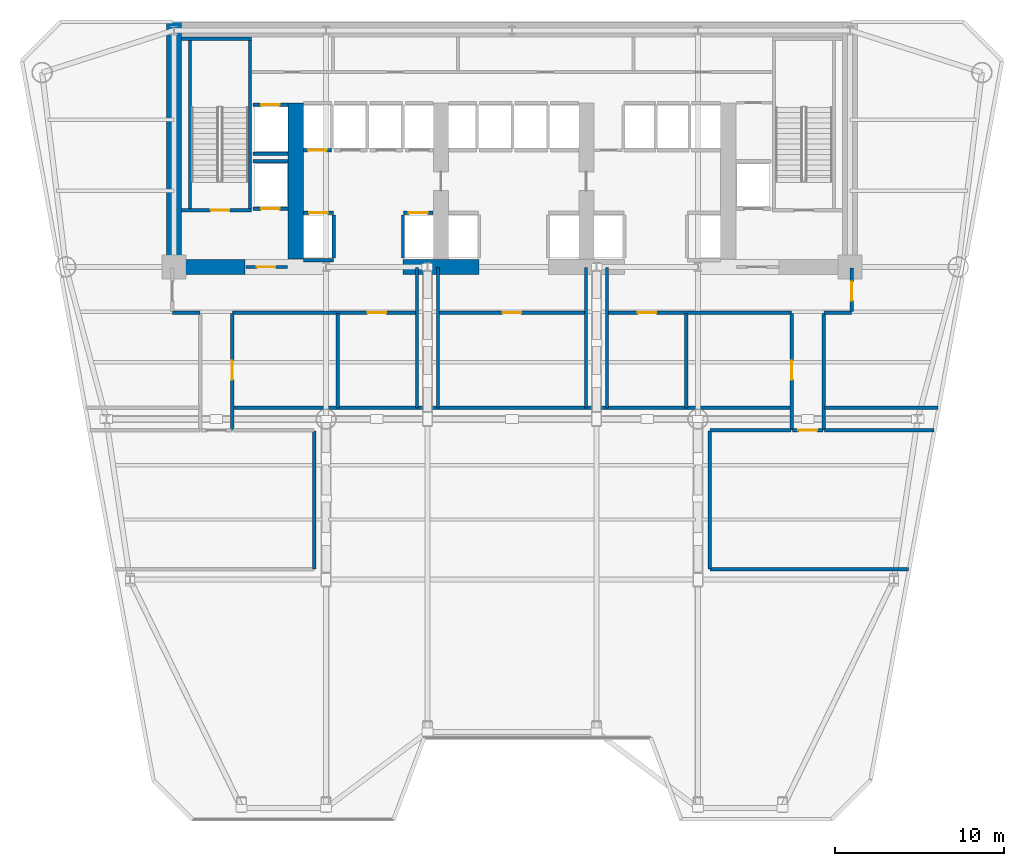
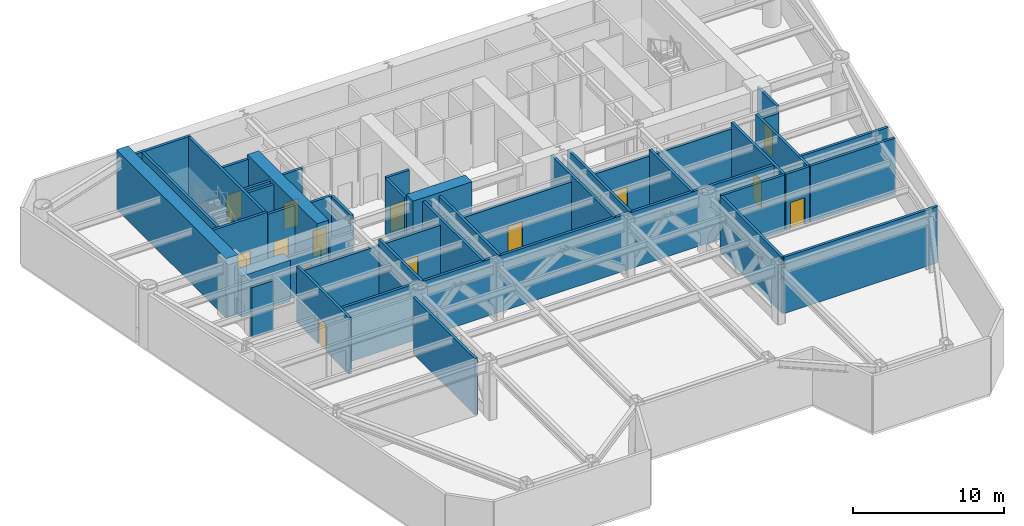
# One storey, part 4 of 10: 42 walls, 14 doors, 14 openings.
"""IFC4 building model written with IfcOpenShell, lengths in metres."""

import ifcopenshell
import ifcopenshell.guid

model = None  # the IFC model being written
_history = None  # IfcOwnerHistory: only IFC2X3 demands one
_inside = {}  # id of a spatial element -> (the spatial element, [elements in it])
_under = {}  # id of a project, library or spatial element -> (it, [spatial elements below it])
_declared = {}  # id of a project -> (the project, [libraries it declares])
_typed = {}  # id of a type object -> (the type object, [elements of that type])
_made_of = {}  # id of a material, layer set ... -> (it, [elements and type objects made of it])


def new_model(schema):
    """Start an empty IFC model of exactly this schema.

    Asked for "IFC4X3", IfcOpenShell would pick the latest addendum, in which some entities
    have other attributes; the version numbers below select the first issue.
    IFC2X3 requires an IfcOwnerHistory on every rooted entity: one is made here for all.
    """
    global model, _history
    if schema == "IFC4X3":
        model = ifcopenshell.file(schema_version=(4, 3, 0, 0))
    else:
        model = ifcopenshell.file(schema=schema)
    _inside.clear()
    _under.clear()
    _declared.clear()
    _typed.clear()
    _made_of.clear()
    _history = None
    if model.schema == "IFC2X3":
        org = make("IfcOrganization", Name="unknown")
        user = make(
            "IfcPersonAndOrganization",
            ThePerson=make("IfcPerson", FamilyName="unknown"),
            TheOrganization=org,
        )
        app = make(
            "IfcApplication",
            ApplicationDeveloper=org,
            Version="unknown",
            ApplicationFullName="unknown",
            ApplicationIdentifier="unknown",
        )
        _history = make(
            "IfcOwnerHistory",
            OwningUser=user,
            OwningApplication=app,
            ChangeAction="ADDED",
            CreationDate=0,
        )
    return model


def make(cls, **values):
    """One entity of the class cls with the attributes given. An attribute that is None is left unset."""
    return model.create_entity(
        cls, **{name: value for name, value in values.items() if value is not None}
    )


def rooted(cls, **values):
    """An entity with a GlobalId (a new one), such as an element, a storey or a relation."""
    return make(cls, GlobalId=ifcopenshell.guid.new(), OwnerHistory=_history, **values)


def si_unit(unit_type, name, prefix=None):
    """IfcSIUnit, for example si_unit("LENGTHUNIT", "METRE", prefix="MILLI")."""
    return make("IfcSIUnit", UnitType=unit_type, Prefix=prefix, Name=name)


def assignment(units):
    """IfcUnitAssignment: the units of a project."""
    return None if units is None else make("IfcUnitAssignment", Units=units)


def point(xyz):
    """IfcCartesianPoint."""
    return None if xyz is None else make("IfcCartesianPoint", Coordinates=xyz)


def direction(xyz):
    """IfcDirection."""
    return None if xyz is None else make("IfcDirection", DirectionRatios=xyz)


def frame(location, z_axis=None, x_axis=None):
    """IfcAxis2Placement3D, a coordinate frame: its origin and axes. An axis left out is left unset."""
    return make(
        "IfcAxis2Placement3D",
        Location=point(location),
        Axis=direction(z_axis),
        RefDirection=direction(x_axis),
    )


def frame_2d(location, x_axis=None):
    """IfcAxis2Placement2D, a coordinate frame in the plane: its origin and x axis."""
    return make(
        "IfcAxis2Placement2D", Location=point(location), RefDirection=direction(x_axis)
    )


def origin():
    """The frame at (0, 0, 0) with its axes left unset."""
    return frame((0.0, 0.0, 0.0))


def place(relative_to, where):
    """IfcLocalPlacement: puts the frame where relative to a parent placement (None: the world)."""
    return make(
        "IfcLocalPlacement", PlacementRelTo=relative_to, RelativePlacement=where
    )


def context(
    kind, dimensions, precision=None, world=None, true_north=None, identifier=None
):
    """IfcGeometricRepresentationContext, for example the 3D "Model" context."""
    return make(
        "IfcGeometricRepresentationContext",
        ContextIdentifier=identifier,
        ContextType=kind,
        CoordinateSpaceDimension=dimensions,
        Precision=precision,
        WorldCoordinateSystem=world,
        TrueNorth=true_north,
    )


def subcontext(parent, identifier, kind, view, scale=None):
    """IfcGeometricRepresentationSubContext, for example "Body" below "Model"."""
    return make(
        "IfcGeometricRepresentationSubContext",
        ContextIdentifier=identifier,
        ContextType=kind,
        ParentContext=parent,
        TargetScale=scale,
        TargetView=view,
    )


def project(units=None, contexts=None):
    """IfcProject with its units and contexts."""
    return rooted(
        "IfcProject",
        Name="project",
        RepresentationContexts=contexts,
        UnitsInContext=assignment(units),
    )


def spatial(cls, under=None, at=None, **own):
    """A site, building, storey or space (cls), placed at a placement, below another one or the project."""
    s = rooted(cls, ObjectPlacement=at, **own)
    if under is not None:
        _under.setdefault(under.id(), (under, []))[1].append(s)
    return s


def profile(cls, at=None, kind="AREA", **sizes):
    """A parametric profile (cls). Its sizes go by their IFC names, for example OverallWidth=200.0."""
    return make(cls, ProfileType=kind, Position=at, **sizes)


def rectangle(**sizes):
    """IfcRectangleProfileDef."""
    return profile("IfcRectangleProfileDef", **sizes)


def extrude(swept, where, along, depth):
    """IfcExtrudedAreaSolid: the profile swept, set in the frame where, extruded along a direction by depth."""
    return make(
        "IfcExtrudedAreaSolid",
        SweptArea=swept,
        Position=where,
        ExtrudedDirection=direction(along),
        Depth=depth,
    )


def shape(context_of_items, identifier, shape_type, items):
    """IfcShapeRepresentation: the items that make up one representation, for example the "Body"."""
    return make(
        "IfcShapeRepresentation",
        ContextOfItems=context_of_items,
        RepresentationIdentifier=identifier,
        RepresentationType=shape_type,
        Items=items,
    )


def source(mapping_origin, context_of_items, identifier, shape_type, items):
    """IfcRepresentationMap: a shape defined once, which mapped items show again and again."""
    return make(
        "IfcRepresentationMap",
        MappingOrigin=mapping_origin,
        MappedRepresentation=shape(context_of_items, identifier, shape_type, items),
    )


def transform(
    local_origin,
    x_axis=None,
    y_axis=None,
    z_axis=None,
    scale=None,
    scale2=None,
    scale3=None,
    uniform=True,
):
    """IfcCartesianTransformationOperator3D, or its non-uniform kind. x_axis, y_axis, z_axis: its Axis1, 2, 3."""
    if uniform:
        return make(
            "IfcCartesianTransformationOperator3D",
            Axis1=direction(x_axis),
            Axis2=direction(y_axis),
            LocalOrigin=point(local_origin),
            Scale=scale,
            Axis3=direction(z_axis),
        )
    return make(
        "IfcCartesianTransformationOperator3DnonUniform",
        Axis1=direction(x_axis),
        Axis2=direction(y_axis),
        LocalOrigin=point(local_origin),
        Scale=scale,
        Axis3=direction(z_axis),
        Scale2=scale2,
        Scale3=scale3,
    )


def mapped(mapping_source, mapping_target):
    """IfcMappedItem: shows the shape of a source again, moved by a transform."""
    return make(
        "IfcMappedItem", MappingSource=mapping_source, MappingTarget=mapping_target
    )


def material(Name=None, Category=None):
    """IfcMaterial."""
    return make("IfcMaterial", Name=Name, Category=Category)


def layer(
    of_material, thickness, ventilated=None, Name=None, Category=None, Priority=None
):
    """IfcMaterialLayer: one layer of a wall or slab, of a material (None: an air gap)."""
    return make(
        "IfcMaterialLayer",
        Material=of_material,
        LayerThickness=thickness,
        IsVentilated=ventilated,
        Name=Name,
        Category=Category,
        Priority=Priority,
    )


def layer_set(layers, Name=None):
    """IfcMaterialLayerSet."""
    return make("IfcMaterialLayerSet", MaterialLayers=layers, LayerSetName=Name)


def made_of(thing, what):
    """Note that an element or type object is made of a material, layer set ...; save() writes the relation."""
    if what is not None:
        _made_of.setdefault(what.id(), (what, []))[1].append(thing)
    return thing


def type_object(cls, material=None, **own):
    """A type object (cls), such as IfcWallType, which elements share."""
    return made_of(rooted(cls, **own), material)


def element(
    cls,
    number,
    at=None,
    inside=None,
    cuts=None,
    type_object=None,
    material=None,
    context=None,
    identifier="Body",
    shape_type=None,
    held_by="IfcProductDefinitionShape",
    body=None,
    shapes=None,
    **own,
):
    """One element of the class cls, such as IfcWall. Its Tag is "e" and its number.

    at: its placement. inside: the storey or other place that contains it. cuts: it is an
    opening in that element (IfcRelVoidsElement). A single representation is given by context,
    identifier, shape_type and body (its items); several are given by shapes. held_by: the class
    of the entity that holds the representations. save() writes the other relations.
    """
    e = rooted(cls, Tag="e%d" % number, ObjectPlacement=at, **own)
    if body is not None:
        shapes = [shape(context, identifier, shape_type, body)]
    if shapes is not None:
        e.Representation = make(held_by, Representations=shapes)
    if inside is not None:
        _inside.setdefault(inside.id(), (inside, []))[1].append(e)
    if cuts is not None:
        rooted(
            "IfcRelVoidsElement", RelatingBuildingElement=cuts, RelatedOpeningElement=e
        )
    if type_object is not None:
        _typed.setdefault(type_object.id(), (type_object, []))[1].append(e)
    return made_of(e, material)


def fill(opening, filler):
    """IfcRelFillsElement: the door or window that sits in an opening."""
    return rooted(
        "IfcRelFillsElement",
        RelatingOpeningElement=opening,
        RelatedBuildingElement=filler,
    )


def aggregate(whole, parts):
    """IfcRelAggregates: a whole, such as a stair, and the parts it consists of."""
    return rooted("IfcRelAggregates", RelatingObject=whole, RelatedObjects=parts)


def save(model, path):
    """Write the relations noted so far, then the file.

    IfcRelAggregates (storeys below a building ...), IfcRelContainedInSpatialStructure (elements
    in a storey), IfcRelDefinesByType, IfcRelAssociatesMaterial and IfcRelDeclares: one each for
    every whole, place, type object, material and project.
    """
    for whole, parts in _under.values():
        aggregate(whole, parts)
    for where, things in _inside.values():
        rooted(
            "IfcRelContainedInSpatialStructure",
            RelatedElements=things,
            RelatingStructure=where,
        )
    for kind, things in _typed.values():
        rooted("IfcRelDefinesByType", RelatedObjects=things, RelatingType=kind)
    for what, things in _made_of.values():
        rooted("IfcRelAssociatesMaterial", RelatedObjects=things, RelatingMaterial=what)
    for by, libraries in _declared.values():
        rooted("IfcRelDeclares", RelatingContext=by, RelatedDefinitions=libraries)
    model.write(path)


model = new_model("IFC4")

# Units and contexts
model_context = context("Model", 3, precision=1e-05, world=origin(), true_north=direction((0.0, 1.0)))
body_context = subcontext(model_context, "Body", "Model", "MODEL_VIEW")
ifc_project = project(units=[si_unit("LENGTHUNIT", "METRE"), si_unit("AREAUNIT", "SQUARE_METRE"), si_unit("VOLUMEUNIT", "CUBIC_METRE"), si_unit("PLANEANGLEUNIT", "RADIAN"), si_unit("MASSUNIT", "GRAM", prefix="KILO")], contexts=[model_context])

# Site, building, storey
site_placement = place(None, origin())
site = spatial("IfcSite", under=ifc_project, at=site_placement, CompositionType="ELEMENT")
building_placement = place(site_placement, origin())
building = spatial("IfcBuilding", under=site, at=building_placement, Name="Vaeldorn Concourse Tower", CompositionType="ELEMENT")
storey_placement = place(building_placement, frame((0.0, 0.0, 83.39990234375)))
storey = spatial("IfcBuildingStorey", under=building, at=storey_placement, Name="L21", CompositionType="ELEMENT", Elevation=83.39990234375)

# Walls
ifc_material_1 = material(Name="Concrete C60/75", Category="concrete")
ifc_layer_1 = layer(ifc_material_1, 0.89990234375)
ifc_layer_set_1 = layer_set([ifc_layer_1], Name="Concrete C60/75")
wall_type_1 = type_object("IfcWallType", Name="WL-CORE-900", PredefinedType="SHEAR", material=ifc_layer_set_1)
wall_1_placement = place(storey_placement, frame((14.0, 36.5, 0.0), z_axis=(0.0, 0.0, 1.0), x_axis=(0.0, 1.0, 0.0)))
element("IfcWall", 1, at=wall_1_placement, inside=storey, type_object=wall_type_1, Name="Rear Core Shear Wall L21 W1", PredefinedType="SHEAR", context=body_context, shape_type="SweptSolid", body=[
    extrude(rectangle(XDim=14.5, YDim=0.89990234375, at=frame_2d((7.25, 0.0))), origin(), (0.0, 0.0, 1.0), 4.800048828125),
])
wall_2_placement = place(storey_placement, frame((14.469970703125, 36.5, 0.0), z_axis=(0.0, 0.0, 1.0), x_axis=(1.0, 0.0, 0.0)))
element("IfcWall", 2, at=wall_2_placement, inside=storey, type_object=wall_type_1, Name="Rear Core Shear Wall L21 S1", PredefinedType="SHEAR", context=body_context, shape_type="SweptSolid", body=[
    extrude(rectangle(XDim=3.72998046875, YDim=0.89990234375, at=frame_2d((1.864990234375, 0.0))), origin(), (0.0, 0.0, 1.0), 3.340087890625),
])
wall_3_placement = place(storey_placement, frame((27.550048828125, 36.5, 0.0), z_axis=(0.0, 0.0, 1.0), x_axis=(1.0, 0.0, 0.0)))
element("IfcWall", 3, at=wall_3_placement, inside=storey, type_object=wall_type_1, Name="Rear Core Shear Wall L21 S2", PredefinedType="SHEAR", context=body_context, shape_type="SweptSolid", body=[
    extrude(rectangle(XDim=4.5, YDim=0.89990234375, at=frame_2d((2.25, 0.0))), origin(), (0.0, 0.0, 1.0), 4.800048828125),
])
wall_4_placement = place(storey_placement, frame((21.199951171875, 36.969970703125, 0.0), z_axis=(0.0, 0.0, 1.0), x_axis=(0.0, 1.0, 0.0)))
element("IfcWall", 4, at=wall_4_placement, inside=storey, type_object=wall_type_1, Name="Rear Core Shear Wall L21 M1", PredefinedType="SHEAR", context=body_context, shape_type="SweptSolid", body=[
    extrude(rectangle(XDim=9.22998046875, YDim=0.89990234375, at=frame_2d((4.614990234375, 0.0))), origin(), (0.0, 0.0, 1.0), 4.800048828125),
])

# Wall, opening, door
ifc_material_2 = material(Name="Concrete C50/60", Category="concrete")
ifc_layer_2 = layer(ifc_material_2, 0.199951171875)
ifc_layer_set_2 = layer_set([ifc_layer_2], Name="Concrete C50/60")
wall_type_2 = type_object("IfcWallType", Name="WL-SHAFT-200", PredefinedType="SOLIDWALL", material=ifc_layer_set_2)
wall_5_placement = place(storey_placement, frame((14.449951171875, 39.85009765625, 0.0), z_axis=(0.0, 0.0, 1.0), x_axis=(1.0, 0.0, 0.0)))
wall_5 = element("IfcWall", 5, at=wall_5_placement, inside=storey, type_object=wall_type_2, Name="Stair Shaft Wall CW-L21-ST-1-S", PredefinedType="SOLIDWALL", context=body_context, shape_type="SweptSolid", body=[
    extrude(rectangle(XDim=4.150146484375, YDim=0.199951171875, at=frame_2d((2.0751953125, 0.0))), origin(), (0.0, 0.0, 1.0), 4.800048828125),
])
opening_1_placement = place(wall_5_placement, frame((1.72509765625, 0.0, 0.0)))
opening_1 = element("IfcOpeningElement", 6, at=opening_1_placement, cuts=wall_5, Name="Opening D-01", PredefinedType="OPENING", context=body_context, shape_type="SweptSolid", body=[
    extrude(rectangle(XDim=1.10009765625, YDim=2.14990234375, at=frame_2d((0.550048828125, 1.074951171875))), frame((0.0, 0.10986328125, 0.0), z_axis=(0.0, -1.0, 0.0), x_axis=(1.0, 0.0, 0.0)), (0.0, 0.0, 1.0), 0.219970703125),
])
ifc_material_3 = material(Name="Fire-Rated Timber and Steel Leaf", Category="steel")
door_type_1 = type_object("IfcDoorType", Name="DR-FD60-1100", OperationType="NOTDEFINED", PredefinedType="DOOR", material=ifc_material_3)
shared_shape = source(origin(), body_context, "Body", "SweptSolid", [
    extrude(rectangle(XDim=1.10009765625, YDim=2.14990234375, at=frame_2d((0.550048828125, 1.074951171875))), frame((0.0, 0.02490234375, 0.0), z_axis=(0.0, -1.0, 0.0), x_axis=(1.0, 0.0, 0.0)), (0.0, 0.0, 1.0), 0.050048828125),
])
door_1_placement = place(opening_1_placement, origin())
door_1 = element("IfcDoor", 7, at=door_1_placement, inside=storey, type_object=door_type_1, Name="Interior Door DR-L21-ST-1", OperationType="SINGLE_SWING_LEFT", OverallHeight=2.14990234375, OverallWidth=1.10009765625, PredefinedType="DOOR", context=body_context, shape_type="MappedRepresentation", body=[
    mapped(shared_shape, transform((0.0, 0.0, 0.0), scale=1.0)),
])
fill(opening_1, door_1)

# Walls
wall_6_placement = place(storey_placement, frame((14.449951171875, 50.0, 0.0), z_axis=(0.0, 0.0, 1.0), x_axis=(1.0, 0.0, 0.0)))
element("IfcWall", 8, at=wall_6_placement, inside=storey, type_object=wall_type_2, Name="Stair Shaft Wall CW-L21-ST-1-N", PredefinedType="SOLIDWALL", context=body_context, shape_type="SweptSolid", body=[
    extrude(rectangle(XDim=4.150146484375, YDim=0.199951171875, at=frame_2d((2.0751953125, 0.0))), origin(), (0.0, 0.0, 1.0), 4.800048828125),
])
for number, where, z_axis, x_axis, name in (
    (9, (14.949951171875, 39.9599609375, 0.0), (0.0, 0.0, 1.0), (0.0, 1.0, 0.0), "Stair Shaft Wall CW-L21-ST-1-W"),
    (10, (18.5, 39.9599609375, 0.0), (0.0, 0.0, 1.0), (0.0, 1.0, 0.0), "Stair Shaft Wall CW-L21-ST-1-E"),
):
    element("IfcWall", number, at=place(storey_placement, frame(where, z_axis=z_axis, x_axis=x_axis)), inside=storey, type_object=wall_type_2, Name=name, PredefinedType="SOLIDWALL", context=body_context, shape_type="SweptSolid", body=[
        extrude(rectangle(XDim=9.929931640625, YDim=0.199951171875, at=frame_2d((4.96484375, 0.0))), origin(), (0.0, 0.0, 1.0), 4.800048828125),
    ])

# Wall, opening, door
wall_7_placement = place(storey_placement, frame((18.25, 36.5, 0.0), z_axis=(0.0, 0.0, 1.0), x_axis=(1.0, 0.0, 0.0)))
wall_7 = element("IfcWall", 11, at=wall_7_placement, inside=storey, type_object=wall_type_2, Name="Interior Wall CW-L21-FF1S", PredefinedType="SOLIDWALL", context=body_context, shape_type="SweptSolid", body=[
    extrude(rectangle(XDim=2.469970703125, YDim=0.199951171875, at=frame_2d((1.23486328125, 0.0))), origin(), (0.0, 0.0, 1.0), 3.330078125),
])
opening_2_placement = place(wall_7_placement, frame((0.64990234375, 0.0, 0.0)))
opening_2 = element("IfcOpeningElement", 12, at=opening_2_placement, cuts=wall_7, Name="Opening D-01", PredefinedType="OPENING", context=body_context, shape_type="SweptSolid", body=[
    extrude(rectangle(XDim=1.10009765625, YDim=2.14990234375, at=frame_2d((0.550048828125, 1.074951171875))), frame((0.0, 0.10986328125, 0.0), z_axis=(0.0, -1.0, 0.0), x_axis=(1.0, 0.0, 0.0)), (0.0, 0.0, 1.0), 0.219970703125),
])
door_2_placement = place(opening_2_placement, origin())
door_2 = element("IfcDoor", 13, at=door_2_placement, inside=storey, type_object=door_type_1, Name="Interior Door DR-L21-FF1E", OperationType="SINGLE_SWING_RIGHT", OverallHeight=2.14990234375, OverallWidth=1.10009765625, PredefinedType="DOOR", context=body_context, shape_type="MappedRepresentation", body=[
    mapped(shared_shape, transform((0.0, 0.0, 0.0), scale=1.0)),
])
fill(opening_2, door_2)

wall_8_placement = place(storey_placement, frame((21.659912109375, 39.699951171875, 0.0), z_axis=(0.0, 0.0, 1.0), x_axis=(1.0, 0.0, 0.0)))
wall_8 = element("IfcWall", 14, at=wall_8_placement, inside=storey, type_object=wall_type_2, Name="Interior Wall CW-L21-LF-LF-01", PredefinedType="SOLIDWALL", context=body_context, shape_type="SweptSolid", body=[
    extrude(rectangle(XDim=1.77001953125, YDim=0.199951171875, at=frame_2d((0.885009765625, 0.0))), origin(), (0.0, 0.0, 1.0), 4.5400390625),
])
opening_3_placement = place(wall_8_placement, frame((0.3349609375, 0.0, 0.0)))
opening_3 = element("IfcOpeningElement", 15, at=opening_3_placement, cuts=wall_8, Name="Opening LD-1", PredefinedType="OPENING", context=body_context, shape_type="SweptSolid", body=[
    extrude(rectangle(XDim=1.10009765625, YDim=2.14990234375, at=frame_2d((0.550048828125, 1.074951171875))), frame((0.0, 0.10986328125, 0.0), z_axis=(0.0, -1.0, 0.0), x_axis=(1.0, 0.0, 0.0)), (0.0, 0.0, 1.0), 0.219970703125),
])
ifc_material_4 = material(Name="Anodised Bronze Aluminium", Category="aluminium")
door_type_2 = type_object("IfcDoorType", Name="DR-LIFT-SLIDE-1100", OperationType="DOUBLE_DOOR_SLIDING", PredefinedType="DOOR", material=ifc_material_4)
door_3_placement = place(opening_3_placement, origin())
door_3 = element("IfcDoor", 16, at=door_3_placement, inside=storey, type_object=door_type_2, Name="Lift Landing Door LD-L21-LF-01", OperationType="DOUBLE_DOOR_SLIDING", OverallHeight=2.14990234375, OverallWidth=1.10009765625, PredefinedType="DOOR", context=body_context, shape_type="MappedRepresentation", body=[
    mapped(shared_shape, transform((0.0, 0.0, 0.0), scale=1.0)),
])
fill(opening_3, door_3)

# Walls
wall_9_placement = place(storey_placement, frame((21.659912109375, 36.89990234375, 0.0), z_axis=(0.0, 0.0, 1.0), x_axis=(1.0, 0.0, 0.0)))
element("IfcWall", 17, at=wall_9_placement, inside=storey, type_object=wall_type_2, Name="Interior Wall CW-L21-LFB-LF-01", PredefinedType="SOLIDWALL", context=body_context, shape_type="SweptSolid", body=[
    extrude(rectangle(XDim=1.77001953125, YDim=0.199951171875, at=frame_2d((0.885009765625, 0.0))), origin(), (0.0, 0.0, 1.0), 3.330078125),
])
wall_10_placement = place(storey_placement, frame((23.449951171875, 37.02001953125, 0.0), z_axis=(0.0, 0.0, 1.0), x_axis=(0.0, 1.0, 0.0)))
element("IfcWall", 18, at=wall_10_placement, inside=storey, type_object=wall_type_2, Name="Interior Wall CW-L21-LFE-LF-01", PredefinedType="SOLIDWALL", context=body_context, shape_type="SweptSolid", body=[
    extrude(rectangle(XDim=2.56005859375, YDim=0.199951171875, at=frame_2d((1.280029296875, 0.0))), origin(), (0.0, 0.0, 1.0), 4.5400390625),
])

# Wall, opening, door
wall_11_placement = place(storey_placement, frame((27.570068359375, 39.699951171875, 0.0), z_axis=(0.0, 0.0, 1.0), x_axis=(1.0, 0.0, 0.0)))
wall_11 = element("IfcWall", 19, at=wall_11_placement, inside=storey, type_object=wall_type_2, Name="Interior Wall CW-L21-LF-LF-02", PredefinedType="SOLIDWALL", context=body_context, shape_type="SweptSolid", body=[
    extrude(rectangle(XDim=1.77001953125, YDim=0.199951171875, at=frame_2d((0.885009765625, 0.0))), origin(), (0.0, 0.0, 1.0), 4.5400390625),
])
opening_4_placement = place(wall_11_placement, frame((0.3349609375, 0.0, 0.0)))
opening_4 = element("IfcOpeningElement", 20, at=opening_4_placement, cuts=wall_11, Name="Opening LD-1", PredefinedType="OPENING", context=body_context, shape_type="SweptSolid", body=[
    extrude(rectangle(XDim=1.10009765625, YDim=2.14990234375, at=frame_2d((0.550048828125, 1.074951171875))), frame((0.0, 0.10986328125, 0.0), z_axis=(0.0, -1.0, 0.0), x_axis=(1.0, 0.0, 0.0)), (0.0, 0.0, 1.0), 0.219970703125),
])
door_4_placement = place(opening_4_placement, origin())
door_4 = element("IfcDoor", 21, at=door_4_placement, inside=storey, type_object=door_type_2, Name="Lift Landing Door LD-L21-LF-02", OperationType="DOUBLE_DOOR_SLIDING", OverallHeight=2.14990234375, OverallWidth=1.10009765625, PredefinedType="DOOR", context=body_context, shape_type="MappedRepresentation", body=[
    mapped(shared_shape, transform((0.0, 0.0, 0.0), scale=1.0)),
])
fill(opening_4, door_4)

# Wall
wall_12_placement = place(storey_placement, frame((27.550048828125, 37.02001953125, 0.0), z_axis=(0.0, 0.0, 1.0), x_axis=(0.0, 1.0, 0.0)))
element("IfcWall", 22, at=wall_12_placement, inside=storey, type_object=wall_type_2, Name="Interior Wall CW-L21-LFW-LF-02", PredefinedType="SOLIDWALL", context=body_context, shape_type="SweptSolid", body=[
    extrude(rectangle(XDim=2.56005859375, YDim=0.199951171875, at=frame_2d((1.280029296875, 0.0))), origin(), (0.0, 0.0, 1.0), 4.5400390625),
])

# Wall, opening, door
wall_13_placement = place(storey_placement, frame((21.659912109375, 43.39990234375, 0.0), z_axis=(0.0, 0.0, 1.0), x_axis=(1.0, 0.0, 0.0)))
wall_13 = element("IfcWall", 23, at=wall_13_placement, inside=storey, type_object=wall_type_2, Name="Interior Wall CW-L21-LF-LF-03", PredefinedType="SOLIDWALL", context=body_context, shape_type="SweptSolid", body=[
    extrude(rectangle(XDim=1.650146484375, YDim=0.199951171875, at=frame_2d((0.8251953125, 0.0))), origin(), (0.0, 0.0, 1.0), 4.5400390625),
])
opening_5_placement = place(wall_13_placement, frame((0.27490234375, 0.0, 0.0)))
opening_5 = element("IfcOpeningElement", 24, at=opening_5_placement, cuts=wall_13, Name="Opening LD-1", PredefinedType="OPENING", context=body_context, shape_type="SweptSolid", body=[
    extrude(rectangle(XDim=1.10009765625, YDim=2.14990234375, at=frame_2d((0.550048828125, 1.074951171875))), frame((0.0, 0.10986328125, 0.0), z_axis=(0.0, -1.0, 0.0), x_axis=(1.0, 0.0, 0.0)), (0.0, 0.0, 1.0), 0.219970703125),
])
door_5_placement = place(opening_5_placement, origin())
door_5 = element("IfcDoor", 25, at=door_5_placement, inside=storey, type_object=door_type_2, Name="Lift Landing Door LD-L21-LF-03", OperationType="DOUBLE_DOOR_SLIDING", OverallHeight=2.14990234375, OverallWidth=1.10009765625, PredefinedType="DOOR", context=body_context, shape_type="MappedRepresentation", body=[
    mapped(shared_shape, transform((0.0, 0.0, 0.0), scale=1.0)),
])
fill(opening_5, door_5)

wall_14_placement = place(storey_placement, frame((18.669921875, 46.10009765625, 0.0), z_axis=(0.0, 0.0, 1.0), x_axis=(1.0, 0.0, 0.0)))
wall_14 = element("IfcWall", 26, at=wall_14_placement, inside=storey, type_object=wall_type_2, Name="Interior Wall CW-L21-LF-LF-SV1", PredefinedType="SOLIDWALL", context=body_context, shape_type="SweptSolid", body=[
    extrude(rectangle(XDim=2.070068359375, YDim=0.199951171875, at=frame_2d((1.03515625, 0.0))), origin(), (0.0, 0.0, 1.0), 4.5400390625),
])
opening_6_placement = place(wall_14_placement, frame((0.485107421875, 0.0, 0.0)))
opening_6 = element("IfcOpeningElement", 27, at=opening_6_placement, cuts=wall_14, Name="Opening LD-1", PredefinedType="OPENING", context=body_context, shape_type="SweptSolid", body=[
    extrude(rectangle(XDim=1.10009765625, YDim=2.14990234375, at=frame_2d((0.550048828125, 1.074951171875))), frame((0.0, 0.10986328125, 0.0), z_axis=(0.0, -1.0, 0.0), x_axis=(1.0, 0.0, 0.0)), (0.0, 0.0, 1.0), 0.219970703125),
])
door_6_placement = place(opening_6_placement, origin())
door_6 = element("IfcDoor", 28, at=door_6_placement, inside=storey, type_object=door_type_2, Name="Lift Landing Door LD-L21-LF-SV1", OperationType="DOUBLE_DOOR_SLIDING", OverallHeight=2.14990234375, OverallWidth=1.10009765625, PredefinedType="DOOR", context=body_context, shape_type="MappedRepresentation", body=[
    mapped(shared_shape, transform((0.0, 0.0, 0.0), scale=1.0)),
])
fill(opening_6, door_6)

# Wall
wall_15_placement = place(storey_placement, frame((18.669921875, 43.199951171875, 0.0), z_axis=(0.0, 0.0, 1.0), x_axis=(1.0, 0.0, 0.0)))
element("IfcWall", 29, at=wall_15_placement, inside=storey, type_object=wall_type_2, Name="Interior Wall CW-L21-LFB-LF-SV1", PredefinedType="SOLIDWALL", context=body_context, shape_type="SweptSolid", body=[
    extrude(rectangle(XDim=2.070068359375, YDim=0.199951171875, at=frame_2d((1.03515625, 0.0))), origin(), (0.0, 0.0, 1.0), 4.5400390625),
])

# Wall, opening, door
wall_16_placement = place(storey_placement, frame((18.669921875, 39.949951171875, 0.0), z_axis=(0.0, 0.0, 1.0), x_axis=(1.0, 0.0, 0.0)))
wall_16 = element("IfcWall", 30, at=wall_16_placement, inside=storey, type_object=wall_type_2, Name="Interior Wall CW-L21-LF-LF-FF1", PredefinedType="SOLIDWALL", context=body_context, shape_type="SweptSolid", body=[
    extrude(rectangle(XDim=2.070068359375, YDim=0.199951171875, at=frame_2d((1.03515625, 0.0))), origin(), (0.0, 0.0, 1.0), 4.5400390625),
])
opening_7_placement = place(wall_16_placement, frame((0.485107421875, 0.0, 0.0)))
opening_7 = element("IfcOpeningElement", 31, at=opening_7_placement, cuts=wall_16, Name="Opening LD-1", PredefinedType="OPENING", context=body_context, shape_type="SweptSolid", body=[
    extrude(rectangle(XDim=1.10009765625, YDim=2.14990234375, at=frame_2d((0.550048828125, 1.074951171875))), frame((0.0, 0.10986328125, 0.0), z_axis=(0.0, -1.0, 0.0), x_axis=(1.0, 0.0, 0.0)), (0.0, 0.0, 1.0), 0.219970703125),
])
door_7_placement = place(opening_7_placement, origin())
door_7 = element("IfcDoor", 32, at=door_7_placement, inside=storey, type_object=door_type_2, Name="Lift Landing Door LD-L21-LF-FF1", OperationType="DOUBLE_DOOR_SLIDING", OverallHeight=2.14990234375, OverallWidth=1.10009765625, PredefinedType="DOOR", context=body_context, shape_type="MappedRepresentation", body=[
    mapped(shared_shape, transform((0.0, 0.0, 0.0), scale=1.0)),
])
fill(opening_7, door_7)

# Walls
wall_17_placement = place(storey_placement, frame((18.669921875, 42.75, 0.0), z_axis=(0.0, 0.0, 1.0), x_axis=(1.0, 0.0, 0.0)))
element("IfcWall", 33, at=wall_17_placement, inside=storey, type_object=wall_type_2, Name="Interior Wall CW-L21-LFB-LF-FF1", PredefinedType="SOLIDWALL", context=body_context, shape_type="SweptSolid", body=[
    extrude(rectangle(XDim=2.070068359375, YDim=0.199951171875, at=frame_2d((1.03515625, 0.0))), origin(), (0.0, 0.0, 1.0), 4.5400390625),
])
wall_18_placement = place(storey_placement, frame((13.89990234375, 33.800048828125, 0.0), z_axis=(0.0, 0.0, 1.0), x_axis=(1.0, 0.0, 0.0)))
element("IfcWall", 34, at=wall_18_placement, inside=storey, type_object=wall_type_2, Name="Interior Wall PW-L21-PCW1", PredefinedType="SOLIDWALL", context=body_context, shape_type="SweptSolid", body=[
    extrude(rectangle(XDim=1.650146484375, YDim=0.199951171875, at=frame_2d((0.8251953125, 0.0))), origin(), (0.0, 0.0, 1.0), 4.030029296875),
])

# Wall, opening, door
wall_19_placement = place(storey_placement, frame((17.449951171875, 33.800048828125, 0.0), z_axis=(0.0, 0.0, 1.0), x_axis=(1.0, 0.0, 0.0)))
wall_19 = element("IfcWall", 35, at=wall_19_placement, inside=storey, type_object=wall_type_2, Name="Interior Wall PW-L21-PCW2", PredefinedType="SOLIDWALL", context=body_context, shape_type="SweptSolid", body=[
    extrude(rectangle(XDim=10.91015625, YDim=0.199951171875, at=frame_2d((5.455078125, 0.0))), origin(), (0.0, 0.0, 1.0), 4.030029296875),
])
opening_8_placement = place(wall_19_placement, frame((8.010009765625, 0.0, 0.0)))
opening_8 = element("IfcOpeningElement", 36, at=opening_8_placement, cuts=wall_19, Name="Opening D-01", PredefinedType="OPENING", context=body_context, shape_type="SweptSolid", body=[
    extrude(rectangle(XDim=1.10009765625, YDim=2.14990234375, at=frame_2d((0.550048828125, 1.074951171875))), frame((0.0, 0.10986328125, 0.0), z_axis=(0.0, -1.0, 0.0), x_axis=(1.0, 0.0, 0.0)), (0.0, 0.0, 1.0), 0.219970703125),
])
door_8_placement = place(opening_8_placement, origin())
door_8 = element("IfcDoor", 37, at=door_8_placement, inside=storey, type_object=door_type_1, Name="Interior Door DR-L21-PL1", OperationType="SINGLE_SWING_LEFT", OverallHeight=2.14990234375, OverallWidth=1.10009765625, PredefinedType="DOOR", context=body_context, shape_type="MappedRepresentation", body=[
    mapped(shared_shape, transform((0.0, 0.0, 0.0), scale=1.0)),
])
fill(opening_8, door_8)

wall_20_placement = place(storey_placement, frame((29.639892578125, 33.800048828125, 0.0), z_axis=(0.0, 0.0, 1.0), x_axis=(1.0, 0.0, 0.0)))
wall_20 = element("IfcWall", 38, at=wall_20_placement, inside=storey, type_object=wall_type_2, Name="Interior Wall PW-L21-PCC", PredefinedType="SOLIDWALL", context=body_context, shape_type="SweptSolid", body=[
    extrude(rectangle(XDim=8.72021484375, YDim=0.199951171875, at=frame_2d((4.360107421875, 0.0))), origin(), (0.0, 0.0, 1.0), 4.030029296875),
])
opening_9_placement = place(wall_20_placement, frame((3.800048828125, 0.0, 0.0)))
opening_9 = element("IfcOpeningElement", 39, at=opening_9_placement, cuts=wall_20, Name="Opening D-01", PredefinedType="OPENING", context=body_context, shape_type="SweptSolid", body=[
    extrude(rectangle(XDim=1.10009765625, YDim=2.14990234375, at=frame_2d((0.550048828125, 1.074951171875))), frame((0.0, 0.10986328125, 0.0), z_axis=(0.0, -1.0, 0.0), x_axis=(1.0, 0.0, 0.0)), (0.0, 0.0, 1.0), 0.219970703125),
])
door_9_placement = place(opening_9_placement, origin())
door_9 = element("IfcDoor", 40, at=door_9_placement, inside=storey, type_object=door_type_1, Name="Interior Door DR-L21-PL2", OperationType="SINGLE_SWING_RIGHT", OverallHeight=2.14990234375, OverallWidth=1.10009765625, PredefinedType="DOOR", context=body_context, shape_type="MappedRepresentation", body=[
    mapped(shared_shape, transform((0.0, 0.0, 0.0), scale=1.0)),
])
fill(opening_9, door_9)

wall_21_placement = place(storey_placement, frame((39.639892578125, 33.800048828125, 0.0), z_axis=(0.0, 0.0, 1.0), x_axis=(1.0, 0.0, 0.0)))
wall_21 = element("IfcWall", 41, at=wall_21_placement, inside=storey, type_object=wall_type_2, Name="Interior Wall PW-L21-PCE1", PredefinedType="SOLIDWALL", context=body_context, shape_type="SweptSolid", body=[
    extrude(rectangle(XDim=10.91015625, YDim=0.199951171875, at=frame_2d((5.455078125, 0.0))), origin(), (0.0, 0.0, 1.0), 4.030029296875),
])
opening_10_placement = place(wall_21_placement, frame((1.800048828125, 0.0, 0.0)))
opening_10 = element("IfcOpeningElement", 42, at=opening_10_placement, cuts=wall_21, Name="Opening D-01", PredefinedType="OPENING", context=body_context, shape_type="SweptSolid", body=[
    extrude(rectangle(XDim=1.10009765625, YDim=2.14990234375, at=frame_2d((0.550048828125, 1.074951171875))), frame((0.0, 0.10986328125, 0.0), z_axis=(0.0, -1.0, 0.0), x_axis=(1.0, 0.0, 0.0)), (0.0, 0.0, 1.0), 0.219970703125),
])
door_10_placement = place(opening_10_placement, origin())
door_10 = element("IfcDoor", 43, at=door_10_placement, inside=storey, type_object=door_type_1, Name="Interior Door DR-L21-PL3", OperationType="SINGLE_SWING_LEFT", OverallHeight=2.14990234375, OverallWidth=1.10009765625, PredefinedType="DOOR", context=body_context, shape_type="MappedRepresentation", body=[
    mapped(shared_shape, transform((0.0, 0.0, 0.0), scale=1.0)),
])
fill(opening_10, door_10)

# Wall
wall_22_placement = place(storey_placement, frame((52.449951171875, 33.800048828125, 0.0), z_axis=(0.0, 0.0, 1.0), x_axis=(1.0, 0.0, 0.0)))
element("IfcWall", 44, at=wall_22_placement, inside=storey, type_object=wall_type_2, Name="Interior Wall PW-L21-PCE2", PredefinedType="SOLIDWALL", context=body_context, shape_type="SweptSolid", body=[
    extrude(rectangle(XDim=1.650146484375, YDim=0.199951171875, at=frame_2d((0.8251953125, 0.0))), origin(), (0.0, 0.0, 1.0), 4.030029296875),
])

# Wall, opening, door
wall_23_placement = place(storey_placement, frame((54.10009765625, 33.860107421875, 0.0), z_axis=(0.0, 0.0, 1.0), x_axis=(0.0, 1.0, 0.0)))
wall_23 = element("IfcWall", 45, at=wall_23_placement, inside=storey, type_object=wall_type_2, Name="Interior Wall PW-L21-RNE", PredefinedType="SOLIDWALL", context=body_context, shape_type="SweptSolid", body=[
    extrude(rectangle(XDim=2.579833984375, YDim=0.199951171875, at=frame_2d((1.2900390625, 0.0))), origin(), (0.0, 0.0, 1.0), 4.5400390625),
])
opening_11_placement = place(wall_23_placement, frame((0.64990234375, 0.0, 0.0)))
opening_11 = element("IfcOpeningElement", 46, at=opening_11_placement, cuts=wall_23, Name="Opening D-01", PredefinedType="OPENING", context=body_context, shape_type="SweptSolid", body=[
    extrude(rectangle(XDim=1.10009765625, YDim=2.14990234375, at=frame_2d((0.550048828125, 1.074951171875))), frame((0.0, 0.10986328125, 0.0), z_axis=(0.0, -1.0, 0.0), x_axis=(1.0, 0.0, 0.0)), (0.0, 0.0, 1.0), 0.219970703125),
])
door_11_placement = place(opening_11_placement, origin())
door_11 = element("IfcDoor", 47, at=door_11_placement, inside=storey, type_object=door_type_1, Name="Interior Door DR-L21-REF2", OperationType="SINGLE_SWING_RIGHT", OverallHeight=2.14990234375, OverallWidth=1.10009765625, PredefinedType="DOOR", context=body_context, shape_type="MappedRepresentation", body=[
    mapped(shared_shape, transform((0.0, 0.0, 0.0), scale=1.0)),
])
fill(opening_11, door_11)

wall_24_placement = place(storey_placement, frame((17.43994140625, 26.840087890625, 0.0), z_axis=(0.0, 0.0, 1.0), x_axis=(0.0, 1.0, 0.0)))
wall_24 = element("IfcWall", 48, at=wall_24_placement, inside=storey, type_object=wall_type_2, Name="Interior Wall PW-L21-SPWE", PredefinedType="SOLIDWALL", context=body_context, shape_type="SweptSolid", body=[
    extrude(rectangle(XDim=6.919921875, YDim=0.199951171875, at=frame_2d((3.4599609375, 0.0))), origin(), (0.0, 0.0, 1.0), 4.5400390625),
])
opening_12_placement = place(wall_24_placement, frame((3.0, 0.0, 0.0)))
opening_12 = element("IfcOpeningElement", 49, at=opening_12_placement, cuts=wall_24, Name="Opening D-01", PredefinedType="OPENING", context=body_context, shape_type="SweptSolid", body=[
    extrude(rectangle(XDim=1.10009765625, YDim=2.14990234375, at=frame_2d((0.550048828125, 1.074951171875))), frame((0.0, 0.10986328125, 0.0), z_axis=(0.0, -1.0, 0.0), x_axis=(1.0, 0.0, 0.0)), (0.0, 0.0, 1.0), 0.219970703125),
])
door_12_placement = place(opening_12_placement, origin())
door_12 = element("IfcDoor", 50, at=door_12_placement, inside=storey, type_object=door_type_1, Name="Interior Door DR-L21-REF1B", OperationType="SINGLE_SWING_RIGHT", OverallHeight=2.14990234375, OverallWidth=1.10009765625, PredefinedType="DOOR", context=body_context, shape_type="MappedRepresentation", body=[
    mapped(shared_shape, transform((0.0, 0.0, 0.0), scale=1.0)),
])
fill(opening_12, door_12)

wall_25_placement = place(storey_placement, frame((50.56005859375, 26.840087890625, 0.0), z_axis=(0.0, 0.0, 1.0), x_axis=(0.0, 1.0, 0.0)))
wall_25 = element("IfcWall", 51, at=wall_25_placement, inside=storey, type_object=wall_type_2, Name="Interior Wall PW-L21-SPEW", PredefinedType="SOLIDWALL", context=body_context, shape_type="SweptSolid", body=[
    extrude(rectangle(XDim=6.919921875, YDim=0.199951171875, at=frame_2d((3.4599609375, 0.0))), origin(), (0.0, 0.0, 1.0), 4.5400390625),
])
opening_13_placement = place(wall_25_placement, frame((3.0, 0.0, 0.0)))
opening_13 = element("IfcOpeningElement", 52, at=opening_13_placement, cuts=wall_25, Name="Opening D-01", PredefinedType="OPENING", context=body_context, shape_type="SweptSolid", body=[
    extrude(rectangle(XDim=1.10009765625, YDim=2.14990234375, at=frame_2d((0.550048828125, 1.074951171875))), frame((0.0, 0.10986328125, 0.0), z_axis=(0.0, -1.0, 0.0), x_axis=(1.0, 0.0, 0.0)), (0.0, 0.0, 1.0), 0.219970703125),
])
door_13_placement = place(opening_13_placement, origin())
door_13 = element("IfcDoor", 53, at=door_13_placement, inside=storey, type_object=door_type_1, Name="Interior Door DR-L21-REF2B", OperationType="SINGLE_SWING_LEFT", OverallHeight=2.14990234375, OverallWidth=1.10009765625, PredefinedType="DOOR", context=body_context, shape_type="MappedRepresentation", body=[
    mapped(shared_shape, transform((0.0, 0.0, 0.0), scale=1.0)),
])
fill(opening_13, door_13)

# Wall
wall_26_placement = place(storey_placement, frame((52.43994140625, 26.840087890625, 0.0), z_axis=(0.0, 0.0, 1.0), x_axis=(0.0, 1.0, 0.0)))
element("IfcWall", 54, at=wall_26_placement, inside=storey, type_object=wall_type_2, Name="Interior Wall PW-L21-SPEE", PredefinedType="SOLIDWALL", context=body_context, shape_type="SweptSolid", body=[
    extrude(rectangle(XDim=6.919921875, YDim=0.199951171875, at=frame_2d((3.4599609375, 0.0))), origin(), (0.0, 0.0, 1.0), 4.5400390625),
])

# Wall, opening, door
wall_27_placement = place(storey_placement, frame((50.60009765625, 26.840087890625, 0.0), z_axis=(0.0, 0.0, 1.0), x_axis=(1.0, 0.0, 0.0)))
wall_27 = element("IfcWall", 55, at=wall_27_placement, inside=storey, type_object=wall_type_2, Name="Interior Wall PW-L21-SPES", PredefinedType="SOLIDWALL", context=body_context, shape_type="SweptSolid", body=[
    extrude(rectangle(XDim=1.7998046875, YDim=0.199951171875, at=frame_2d((0.89990234375, 0.0))), origin(), (0.0, 0.0, 1.0), 4.5400390625),
])
opening_14_placement = place(wall_27_placement, frame((0.35009765625, 0.0, 0.0)))
opening_14 = element("IfcOpeningElement", 56, at=opening_14_placement, cuts=wall_27, Name="Opening D-01", PredefinedType="OPENING", context=body_context, shape_type="SweptSolid", body=[
    extrude(rectangle(XDim=1.10009765625, YDim=2.14990234375, at=frame_2d((0.550048828125, 1.074951171875))), frame((0.0, 0.10986328125, 0.0), z_axis=(0.0, -1.0, 0.0), x_axis=(1.0, 0.0, 0.0)), (0.0, 0.0, 1.0), 0.219970703125),
])
door_14_placement = place(opening_14_placement, origin())
door_14 = element("IfcDoor", 57, at=door_14_placement, inside=storey, type_object=door_type_1, Name="Interior Door DR-L21-REF4", OperationType="SINGLE_SWING_RIGHT", OverallHeight=2.14990234375, OverallWidth=1.10009765625, PredefinedType="DOOR", context=body_context, shape_type="MappedRepresentation", body=[
    mapped(shared_shape, transform((0.0, 0.0, 0.0), scale=1.0)),
])
fill(opening_14, door_14)

# Walls
for number, where, z_axis, x_axis, name in (
    (58, (28.3798828125, 28.159912109375, 0.0), (0.0, 0.0, 1.0), (0.0, 1.0, 0.0), "Interior Wall PW-L21-OT2W"),
    (59, (29.6201171875, 28.159912109375, 0.0), (0.0, 0.0, 1.0), (0.0, 1.0, 0.0), "Interior Wall PW-L21-OT2E"),
    (60, (38.3798828125, 28.159912109375, 0.0), (0.0, 0.0, 1.0), (0.0, 1.0, 0.0), "Interior Wall PW-L21-OT3W"),
    (61, (39.6201171875, 28.159912109375, 0.0), (0.0, 0.0, 1.0), (0.0, 1.0, 0.0), "Interior Wall PW-L21-OT3E"),
):
    element("IfcWall", number, at=place(storey_placement, frame(where, z_axis=z_axis, x_axis=x_axis)), inside=storey, type_object=wall_type_2, Name=name, PredefinedType="SOLIDWALL", context=body_context, shape_type="SweptSolid", body=[
        extrude(rectangle(XDim=8.300048828125, YDim=0.199951171875, at=frame_2d((4.14990234375, 0.0))), origin(), (0.0, 0.0, 1.0), 4.5400390625),
    ])
for number, where, z_axis, x_axis, name in (
    (62, (23.679931640625, 28.159912109375, 0.0), (0.0, 0.0, 1.0), (0.0, 1.0, 0.0), "Interior Wall PW-L21-PL1W"),
    (63, (44.320068359375, 28.159912109375, 0.0), (0.0, 0.0, 1.0), (0.0, 1.0, 0.0), "Interior Wall PW-L21-PL3E"),
):
    element("IfcWall", number, at=place(storey_placement, frame(where, z_axis=z_axis, x_axis=x_axis)), inside=storey, type_object=wall_type_2, Name=name, PredefinedType="SOLIDWALL", context=body_context, shape_type="SweptSolid", body=[
        extrude(rectangle(XDim=5.60009765625, YDim=0.199951171875, at=frame_2d((2.800048828125, 0.0))), origin(), (0.0, 0.0, 1.0), 4.5400390625),
    ])
wall_28_placement = place(storey_placement, frame((17.47998046875, 28.159912109375, 0.0), z_axis=(0.0, 0.0, 1.0), x_axis=(1.0, 0.0, 0.0)))
element("IfcWall", 64, at=wall_28_placement, inside=storey, type_object=wall_type_2, Name="Interior Wall PW-L21-BTN2", PredefinedType="SOLIDWALL", context=body_context, shape_type="SweptSolid", body=[
    extrude(rectangle(XDim=33.0400390625, YDim=0.199951171875, at=frame_2d((16.52001953125, 0.0))), origin(), (0.0, 0.0, 1.0), 4.5400390625),
])
wall_29_placement = place(storey_placement, frame((52.47998046875, 28.159912109375, 0.0), z_axis=(0.0, 0.0, 1.0), x_axis=(1.0, 0.0, 0.0)))
element("IfcWall", 65, at=wall_29_placement, inside=storey, type_object=wall_type_2, Name="Interior Wall PW-L21-BTN3", PredefinedType="SOLIDWALL", context=body_context, shape_type="SweptSolid", body=[
    extrude(rectangle(XDim=6.724609375, YDim=0.199951171875, at=frame_2d((3.3623046875, 0.0))), origin(), (0.0, 0.0, 1.0), 4.5400390625),
])
wall_30_placement = place(storey_placement, frame((45.699951171875, 26.840087890625, 0.0), z_axis=(0.0, 0.0, 1.0), x_axis=(1.0, 0.0, 0.0)))
element("IfcWall", 66, at=wall_30_placement, inside=storey, type_object=wall_type_2, Name="Interior Wall PW-L21-BTSE1", PredefinedType="SOLIDWALL", context=body_context, shape_type="SweptSolid", body=[
    extrude(rectangle(XDim=4.820068359375, YDim=0.199951171875, at=frame_2d((2.41015625, 0.0))), origin(), (0.0, 0.0, 1.0), 4.5400390625),
])
wall_31_placement = place(storey_placement, frame((52.47998046875, 26.840087890625, 0.0), z_axis=(0.0, 0.0, 1.0), x_axis=(1.0, 0.0, 0.0)))
element("IfcWall", 67, at=wall_31_placement, inside=storey, type_object=wall_type_2, Name="Interior Wall PW-L21-BTSE2", PredefinedType="SOLIDWALL", context=body_context, shape_type="SweptSolid", body=[
    extrude(rectangle(XDim=6.4833984375, YDim=0.199951171875, at=frame_2d((3.24169921875, 0.0))), origin(), (0.0, 0.0, 1.0), 4.5400390625),
])
for number, where, z_axis, x_axis, name in (
    (68, (22.300048828125, 18.6201171875, 0.0), (0.0, 0.0, 1.0), (0.0, 1.0, 0.0), "Interior Wall PW-L21-OT1W"),
    (69, (45.699951171875, 18.6201171875, 0.0), (0.0, 0.0, 1.0), (0.0, 1.0, 0.0), "Interior Wall PW-L21-OT4E"),
):
    element("IfcWall", number, at=place(storey_placement, frame(where, z_axis=z_axis, x_axis=x_axis)), inside=storey, type_object=wall_type_2, Name=name, PredefinedType="SOLIDWALL", context=body_context, shape_type="SweptSolid", body=[
        extrude(rectangle(XDim=8.179931640625, YDim=0.199951171875, at=frame_2d((4.08984375, 0.0))), origin(), (0.0, 0.0, 1.0), 4.5400390625),
    ])
wall_32_placement = place(storey_placement, frame((45.699951171875, 18.6201171875, 0.0), z_axis=(0.0, 0.0, 1.0), x_axis=(1.0, 0.0, 0.0)))
element("IfcWall", 70, at=wall_32_placement, inside=storey, type_object=wall_type_2, Name="Interior Wall PW-L21-S18E", PredefinedType="SOLIDWALL", context=body_context, shape_type="SweptSolid", body=[
    extrude(rectangle(XDim=11.7607421875, YDim=0.199951171875, at=frame_2d((5.88037109375, 0.0))), origin(), (0.0, 0.0, 1.0), 4.5400390625),
])

save(model, "model.ifc")
